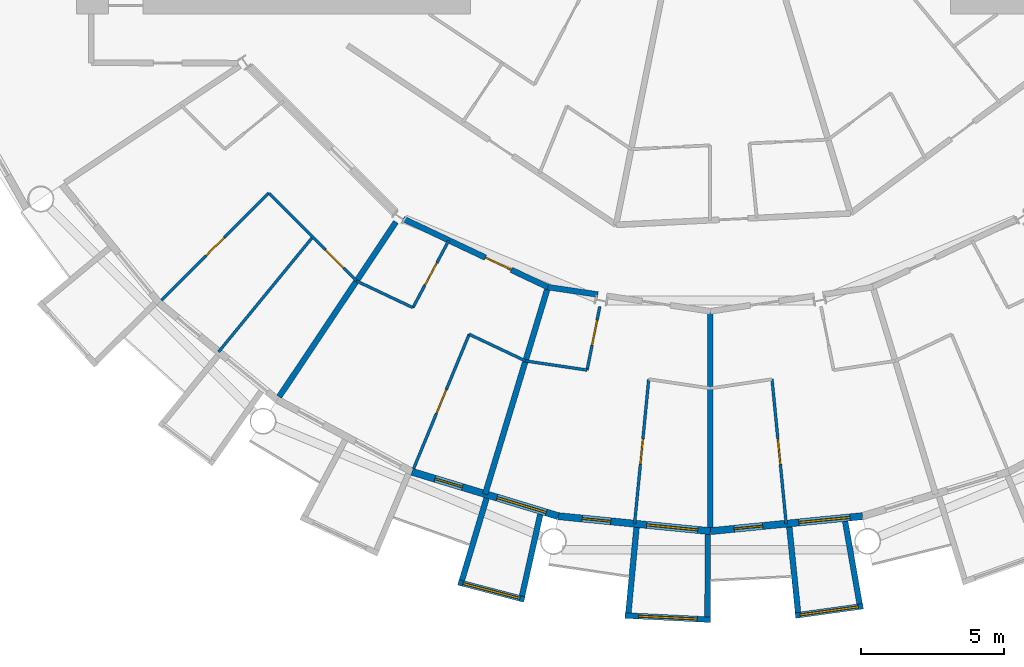
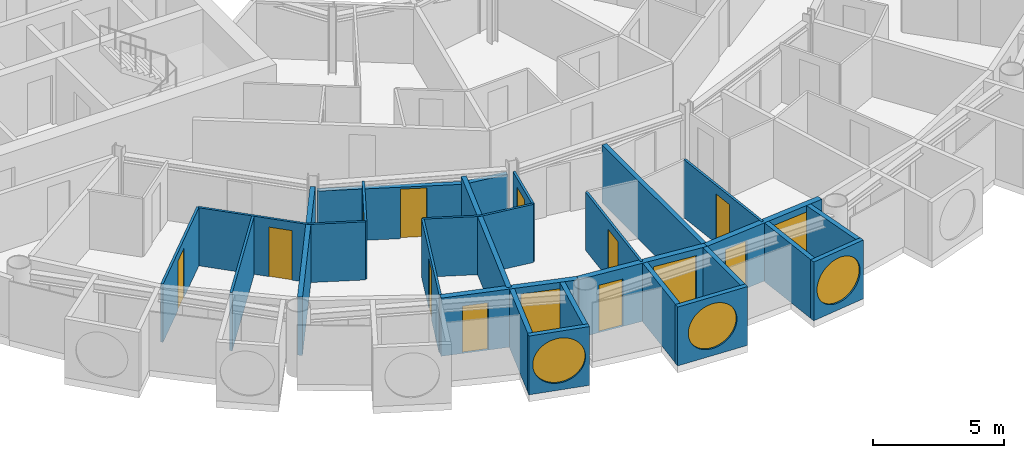
# One storey, part 14 of 26: 28 walls, 11 doors, 6 windows, 17 openings.
"""IFC4 building model written with IfcOpenShell, lengths in metres."""

from ifc_helpers import new_model, si_unit, direction, frame, frame_2d, origin, place, context, subcontext, project, spatial, rectangle, circle, extrude, material, layer, layer_set, type_object, element, fill, save


model = new_model("IFC4")

# Units and contexts
model_context = context("Model", 3, precision=1e-05, world=origin(), true_north=direction((0.0, 1.0)))
body_context = subcontext(model_context, "Body", "Model", "MODEL_VIEW")
ifc_project = project(units=[si_unit("LENGTHUNIT", "METRE"), si_unit("AREAUNIT", "SQUARE_METRE"), si_unit("VOLUMEUNIT", "CUBIC_METRE"), si_unit("PLANEANGLEUNIT", "RADIAN"), si_unit("MASSUNIT", "GRAM", prefix="KILO")], contexts=[model_context])

# Site, building, storey
site_placement = place(None, origin())
site = spatial("IfcSite", under=ifc_project, at=site_placement, CompositionType="ELEMENT")
building_placement = place(site_placement, origin())
building = spatial("IfcBuilding", under=site, at=building_placement, Name="Maasbend Ring Residences", CompositionType="ELEMENT")
storey_placement = place(building_placement, frame((0.0, 0.0, 123.85009765625)))
storey = spatial("IfcBuildingStorey", under=building, at=storey_placement, Name="L35", CompositionType="ELEMENT", Elevation=123.85009765625)

# Wall, opening, door
ifc_material_1 = material(Name="Concrete C30/37", Category="concrete")
ifc_layer_1 = layer(ifc_material_1, 0.199951171875)
ifc_layer_set_1 = layer_set([ifc_layer_1], Name="Concrete C30/37")
wall_type_1 = type_object("IfcWallType", Name="CORRIDOR WALL 200 CONCRETE", PredefinedType="PARTITIONING", material=ifc_layer_set_1)
wall_1_placement = place(storey_placement, frame((-10.7490234375, -16.363037109375, 0.0), z_axis=(0.0, 0.0, 1.0), x_axis=(0.903968655954, -0.427598724335, 0.0)))
wall_1 = element("IfcWall", 1, at=wall_1_placement, inside=storey, type_object=wall_type_1, Name="U-L35-w015", PredefinedType="PARTITIONING", context=body_context, shape_type="SweptSolid", body=[
    extrude(rectangle(XDim=5.596435546875, YDim=0.199951171875, at=frame_2d((2.79833984375, 0.0))), origin(), (0.0, 0.0, 1.0), 2.389892578125),
])
opening_1_placement = place(wall_1_placement, frame((3.178955078125, 0.0, 0.0)))
opening_1 = element("IfcOpeningElement", 2, at=opening_1_placement, cuts=wall_1, Name="Opening D-3536", PredefinedType="OPENING", context=body_context, shape_type="SweptSolid", body=[
    extrude(rectangle(XDim=1.0, YDim=2.300048828125, at=frame_2d((0.5, 1.14990234375))), frame((0.0, 0.10986328125, 0.0), z_axis=(0.0, -1.0, 0.0), x_axis=(1.0, 0.0, 0.0)), (0.0, 0.0, 1.0), 0.219970703125),
])
ifc_material_2 = material(Name="Timber, fire-rated, painted", Category="wood")
door_type_1 = type_object("IfcDoorType", Name="FLAT ENTRANCE DOOR 1000 X 2300 FIRE-RATED", OperationType="NOTDEFINED", PredefinedType="DOOR", material=ifc_material_2)
door_1_placement = place(opening_1_placement, origin())
door_1 = element("IfcDoor", 3, at=door_1_placement, inside=storey, type_object=door_type_1, Name="D-3536", OperationType="SINGLE_SWING_RIGHT", OverallHeight=2.300048828125, OverallWidth=1.0, PredefinedType="DOOR", context=body_context, shape_type="SweptSolid", body=[
    extrude(rectangle(XDim=1.0, YDim=2.300048828125, at=frame_2d((0.5, 1.14990234375))), frame((0.0, 0.02490234375, 0.0), z_axis=(0.0, -1.0, 0.0), x_axis=(1.0, 0.0, 0.0)), (0.0, 0.0, 1.0), 0.050048828125),
])
fill(opening_1, door_1)

# Wall
wall_2_placement = place(storey_placement, frame((-5.696044921875, -18.7548828125, 0.0), z_axis=(0.0, 0.0, 1.0), x_axis=(0.989227802256, -0.146384272531, 0.0)))
element("IfcWall", 4, at=wall_2_placement, inside=storey, type_object=wall_type_1, Name="U-L35-w016", PredefinedType="PARTITIONING", context=body_context, shape_type="SweptSolid", body=[
    extrude(rectangle(XDim=1.776123046875, YDim=0.199951171875, at=frame_2d((0.88818359375, 0.0))), origin(), (0.0, 0.0, 1.0), 2.389892578125),
])

# Wall, opening, window
ifc_material_3 = material(Name="Pale anodised aluminium panel", Category="aluminium")
ifc_layer_2 = layer(ifc_material_3, 0.199951171875)
ifc_layer_set_2 = layer_set([ifc_layer_2], Name="EW-BOX")
wall_type_2 = type_object("IfcWallType", Name="EW-BOX", PredefinedType="SOLIDWALL", material=ifc_layer_set_2)
wall_3_placement = place(storey_placement, frame((-8.827880859375, -29.090087890625, -0.030029296875), z_axis=(0.0, 0.0, 1.0), x_axis=(0.967554339146, -0.252663018266, 0.0)))
wall_3 = element("IfcWall", 5, at=wall_3_placement, inside=storey, type_object=wall_type_2, Name="Box front S08", PredefinedType="SOLIDWALL", context=body_context, shape_type="SweptSolid", body=[
    extrude(rectangle(XDim=2.390625, YDim=0.199951171875, at=frame_2d((1.1953125, 0.0))), origin(), (0.0, 0.0, 1.0), 2.72998046875),
])
opening_2_placement = place(wall_3_placement, frame((0.15576171875, 0.0, 0.330078125)))
opening_2 = element("IfcOpeningElement", 6, at=opening_2_placement, cuts=wall_3, Name="Opening W-RD", PredefinedType="OPENING", context=body_context, shape_type="SweptSolid", body=[
    extrude(circle(Radius=1.0400390625, at=frame_2d((1.0400390625, 1.0400390625))), frame((0.0, 0.10986328125, 0.0), z_axis=(0.0, -1.0, 0.0), x_axis=(1.0, 0.0, 0.0)), (0.0, 0.0, 1.0), 0.219970703125),
])
ifc_material_4 = material(Name="Aluminium and clear glass", Category="aluminium")
window_type_1 = type_object("IfcWindowType", Name="W-RD", PartitioningType="SINGLE_PANEL", PredefinedType="WINDOW", material=ifc_material_4)
window_1_placement = place(opening_2_placement, origin())
window_1 = element("IfcWindow", 7, at=window_1_placement, inside=storey, type_object=window_type_1, Name="Round window S08", OverallHeight=2.080078125, OverallWidth=2.080078125, PartitioningType="SINGLE_PANEL", PredefinedType="WINDOW", context=body_context, shape_type="SweptSolid", body=[
    extrude(circle(Radius=1.0400390625, at=frame_2d((1.0400390625, 1.0400390625))), frame((0.0, 0.030029296875, 0.0), z_axis=(0.0, -1.0, 0.0), x_axis=(1.0, 0.0, 0.0)), (0.0, 0.0, 1.0), 0.06005859375),
])
fill(opening_2, window_1)

# Walls
wall_4_placement = place(storey_placement, frame((-7.8369140625, -26.14404296875, -0.030029296875), z_axis=(0.0, 0.0, 1.0), x_axis=(-0.287064767992, -0.957911174889, 0.0)))
element("IfcWall", 8, at=wall_4_placement, inside=storey, type_object=wall_type_2, Name="Box side wall S08 left", PredefinedType="SOLIDWALL", context=body_context, shape_type="SweptSolid", body=[
    extrude(rectangle(XDim=3.00634765625, YDim=0.199951171875, at=frame_2d((1.503173828125, 0.0))), origin(), (0.0, 0.0, 1.0), 2.72998046875),
])
wall_5_placement = place(storey_placement, frame((-5.95703125, -26.715087890625, -0.030029296875), z_axis=(0.0, 0.0, 1.0), x_axis=(-0.217857287091, -0.975980636315, 0.0)))
element("IfcWall", 9, at=wall_5_placement, inside=storey, type_object=wall_type_2, Name="Box side wall S08 right", PredefinedType="SOLIDWALL", context=body_context, shape_type="SweptSolid", body=[
    extrude(rectangle(XDim=2.92822265625, YDim=0.199951171875, at=frame_2d((1.464111328125, 0.0))), origin(), (0.0, 0.0, 1.0), 2.72998046875),
])

# Wall, opening, window
wall_6_placement = place(storey_placement, frame((-2.985107421875, -30.2529296875, -0.030029296875), z_axis=(0.0, 0.0, 1.0), x_axis=(0.998794083011, -0.049095618353, 0.0)))
wall_6 = element("IfcWall", 10, at=wall_6_placement, inside=storey, type_object=wall_type_2, Name="Box front S10", PredefinedType="SOLIDWALL", context=body_context, shape_type="SweptSolid", body=[
    extrude(rectangle(XDim=2.99365234375, YDim=0.199951171875, at=frame_2d((1.496826171875, 0.0))), origin(), (0.0, 0.0, 1.0), 2.72998046875),
])
opening_3_placement = place(wall_6_placement, frame((0.45654296875, 0.0, 0.330078125)))
opening_3 = element("IfcOpeningElement", 11, at=opening_3_placement, cuts=wall_6, Name="Opening W-RD", PredefinedType="OPENING", context=body_context, shape_type="SweptSolid", body=[
    extrude(circle(Radius=1.0400390625, at=frame_2d((1.0400390625, 1.0400390625))), frame((0.0, 0.10986328125, 0.0), z_axis=(0.0, -1.0, 0.0), x_axis=(1.0, 0.0, 0.0)), (0.0, 0.0, 1.0), 0.219970703125),
])
window_2_placement = place(opening_3_placement, origin())
window_2 = element("IfcWindow", 12, at=window_2_placement, inside=storey, type_object=window_type_1, Name="Round window S10", OverallHeight=2.080078125, OverallWidth=2.080078125, PartitioningType="SINGLE_PANEL", PredefinedType="WINDOW", context=body_context, shape_type="SweptSolid", body=[
    extrude(circle(Radius=1.0400390625, at=frame_2d((1.0400390625, 1.0400390625))), frame((0.0, 0.030029296875, 0.0), z_axis=(0.0, -1.0, 0.0), x_axis=(1.0, 0.0, 0.0)), (0.0, 0.0, 1.0), 0.06005859375),
])
fill(opening_3, window_2)

# Walls
wall_7_placement = place(storey_placement, frame((-2.5859375, -27.1708984375, -0.030029296875), z_axis=(0.0, 0.0, 1.0), x_axis=(-0.094548432284, -0.995520262954, 0.0)))
element("IfcWall", 13, at=wall_7_placement, inside=storey, type_object=wall_type_2, Name="Box side wall S10 left", PredefinedType="SOLIDWALL", context=body_context, shape_type="SweptSolid", body=[
    extrude(rectangle(XDim=3.005615234375, YDim=0.199951171875, at=frame_2d((1.5029296875, 0.0))), origin(), (0.0, 0.0, 1.0), 2.72998046875),
])
wall_8_placement = place(storey_placement, frame((-0.090087890625, -27.4169921875, -0.030029296875), z_axis=(0.0, 0.0, 1.0), x_axis=(-0.00347308367, -0.999993968827, 0.0)))
element("IfcWall", 14, at=wall_8_placement, inside=storey, type_object=wall_type_2, Name="Box side wall S10 right", PredefinedType="SOLIDWALL", context=body_context, shape_type="SweptSolid", body=[
    extrude(rectangle(XDim=2.882080078125, YDim=0.199951171875, at=frame_2d((1.44091796875, 0.0))), origin(), (0.0, 0.0, 1.0), 2.72998046875),
])

# Wall, opening, window
wall_9_placement = place(storey_placement, frame((2.97607421875, -30.25390625, -0.030029296875), z_axis=(0.0, 0.0, 1.0), x_axis=(0.99061207328, 0.136703036805, 0.0)))
wall_9 = element("IfcWall", 15, at=wall_9_placement, inside=storey, type_object=wall_type_2, Name="Box front S12", PredefinedType="SOLIDWALL", context=body_context, shape_type="SweptSolid", body=[
    extrude(rectangle(XDim=2.391357421875, YDim=0.199951171875, at=frame_2d((1.19580078125, 0.0))), origin(), (0.0, 0.0, 1.0), 2.72998046875),
])
opening_4_placement = place(wall_9_placement, frame((0.15576171875, 0.0, 0.330078125)))
opening_4 = element("IfcOpeningElement", 16, at=opening_4_placement, cuts=wall_9, Name="Opening W-RD", PredefinedType="OPENING", context=body_context, shape_type="SweptSolid", body=[
    extrude(circle(Radius=1.0400390625, at=frame_2d((1.0400390625, 1.0400390625))), frame((0.0, 0.10986328125, 0.0), z_axis=(0.0, -1.0, 0.0), x_axis=(1.0, 0.0, 0.0)), (0.0, 0.0, 1.0), 0.219970703125),
])
window_3_placement = place(opening_4_placement, origin())
window_3 = element("IfcWindow", 17, at=window_3_placement, inside=storey, type_object=window_type_1, Name="Round window S12", OverallHeight=2.080078125, OverallWidth=2.080078125, PartitioningType="SINGLE_PANEL", PredefinedType="WINDOW", context=body_context, shape_type="SweptSolid", body=[
    extrude(circle(Radius=1.0400390625, at=frame_2d((1.0400390625, 1.0400390625))), frame((0.0, 0.030029296875, 0.0), z_axis=(0.0, -1.0, 0.0), x_axis=(1.0, 0.0, 0.0)), (0.0, 0.0, 1.0), 0.06005859375),
])
fill(opening_4, window_3)

# Walls
wall_10_placement = place(storey_placement, frame((2.763916015625, -27.153076171875, -0.030029296875), z_axis=(0.0, 0.0, 1.0), x_axis=(0.101505487237, -0.994834979311, 0.0)))
element("IfcWall", 18, at=wall_10_placement, inside=storey, type_object=wall_type_2, Name="Box side wall S12 left", PredefinedType="SOLIDWALL", context=body_context, shape_type="SweptSolid", body=[
    extrude(rectangle(XDim=3.006591796875, YDim=0.199951171875, at=frame_2d((1.50341796875, 0.0))), origin(), (0.0, 0.0, 1.0), 2.72998046875),
])
wall_11_placement = place(storey_placement, frame((4.719970703125, -26.9609375, -0.030029296875), z_axis=(0.0, 0.0, 1.0), x_axis=(0.172463232037, -0.98501595601, 0.0)))
element("IfcWall", 19, at=wall_11_placement, inside=storey, type_object=wall_type_2, Name="Box side wall S12 right", PredefinedType="SOLIDWALL", context=body_context, shape_type="SweptSolid", body=[
    extrude(rectangle(XDim=2.928955078125, YDim=0.199951171875, at=frame_2d((1.46435546875, 0.0))), origin(), (0.0, 0.0, 1.0), 2.72998046875),
])

# Wall, openings, door, window
ifc_material_5 = material(Name="Aluminium clad insulated panel", Category="aluminium")
ifc_layer_3 = layer(ifc_material_5, 0.25)
ifc_layer_set_3 = layer_set([ifc_layer_3], Name="EW-GL")
wall_type_3 = type_object("IfcWallType", Name="EW-GL", PredefinedType="SOLIDWALL", material=ifc_layer_set_3)
wall_12_placement = place(storey_placement, frame((-10.447021484375, -25.221923828125, 0.0), z_axis=(0.0, 0.0, 1.0), x_axis=(0.956965678721, -0.290201119486, 0.0)))
wall_12 = element("IfcWall", 20, at=wall_12_placement, inside=storey, type_object=wall_type_3, Name="External wall S04", PredefinedType="SOLIDWALL", context=body_context, shape_type="SweptSolid", body=[
    extrude(rectangle(XDim=5.351318359375, YDim=0.25, at=frame_2d((2.67578125, 0.0))), origin(), (0.0, 0.0, 1.0), 2.699951171875),
])
opening_5_placement = place(wall_12_placement, frame((0.841064453125, 0.0, 0.0)))
opening_5 = element("IfcOpeningElement", 21, at=opening_5_placement, cuts=wall_12, Name="Opening D-LG", PredefinedType="OPENING", context=body_context, shape_type="SweptSolid", body=[
    extrude(rectangle(XDim=1.0, YDim=2.199951171875, at=frame_2d((0.5, 1.10009765625))), frame((0.0, 0.135009765625, 0.0), z_axis=(0.0, -1.0, 0.0), x_axis=(1.0, 0.0, 0.0)), (0.0, 0.0, 1.0), 0.27001953125),
])
opening_6_placement = place(wall_12_placement, frame((3.110595703125, 0.0, 0.300048828125)))
opening_6 = element("IfcOpeningElement", 22, at=opening_6_placement, cuts=wall_12, Name="Opening W-BX", PredefinedType="OPENING", context=body_context, shape_type="SweptSolid", body=[
    extrude(rectangle(XDim=1.800048828125, YDim=2.10009765625, at=frame_2d((0.89990234375, 1.050048828125))), frame((0.0, 0.135009765625, 0.0), z_axis=(0.0, -1.0, 0.0), x_axis=(1.0, 0.0, 0.0)), (0.0, 0.0, 1.0), 0.27001953125),
])
ifc_material_6 = material(Name="Aluminium and clear glass", Category="aluminium")
door_type_2 = type_object("IfcDoorType", Name="D-LG", OperationType="SINGLE_SWING_LEFT", PredefinedType="DOOR", material=ifc_material_6)
door_2_placement = place(opening_5_placement, origin())
door_2 = element("IfcDoor", 23, at=door_2_placement, inside=storey, type_object=door_type_2, Name="Loggia door S07", OperationType="SINGLE_SWING_LEFT", OverallHeight=2.199951171875, OverallWidth=1.0, PredefinedType="DOOR", context=body_context, shape_type="SweptSolid", body=[
    extrude(rectangle(XDim=1.0, YDim=2.199951171875, at=frame_2d((0.5, 1.10009765625))), frame((0.0, 0.02490234375, 0.0), z_axis=(0.0, -1.0, 0.0), x_axis=(1.0, 0.0, 0.0)), (0.0, 0.0, 1.0), 0.050048828125),
])
fill(opening_5, door_2)
ifc_material_7 = material(Name="Aluminium and clear glass", Category="aluminium")
window_type_2 = type_object("IfcWindowType", Name="W-BX", PartitioningType="DOUBLE_PANEL_VERTICAL", PredefinedType="WINDOW", material=ifc_material_7)
window_4_placement = place(opening_6_placement, origin())
window_4 = element("IfcWindow", 24, at=window_4_placement, inside=storey, type_object=window_type_2, Name="Window S08 room to box", OverallHeight=2.10009765625, OverallWidth=1.800048828125, PartitioningType="SINGLE_PANEL", PredefinedType="WINDOW", context=body_context, shape_type="SweptSolid", body=[
    extrude(rectangle(XDim=1.800048828125, YDim=2.10009765625, at=frame_2d((0.89990234375, 1.050048828125))), frame((0.0, 0.030029296875, 0.0), z_axis=(0.0, -1.0, 0.0), x_axis=(1.0, 0.0, 0.0)), (0.0, 0.0, 1.0), 0.06005859375),
])
fill(opening_6, window_4)

wall_13_placement = place(storey_placement, frame((-5.325927734375, -26.77490234375, 0.0), z_axis=(0.0, 0.0, 1.0), x_axis=(0.995173996315, -0.098126026407, 0.0)))
wall_13 = element("IfcWall", 25, at=wall_13_placement, inside=storey, type_object=wall_type_3, Name="External wall S05", PredefinedType="SOLIDWALL", context=body_context, shape_type="SweptSolid", body=[
    extrude(rectangle(XDim=5.351806640625, YDim=0.25, at=frame_2d((2.67578125, 0.0))), origin(), (0.0, 0.0, 1.0), 2.699951171875),
])
opening_7_placement = place(wall_13_placement, frame((0.841064453125, 0.0, 0.0)))
opening_7 = element("IfcOpeningElement", 26, at=opening_7_placement, cuts=wall_13, Name="Opening D-LG", PredefinedType="OPENING", context=body_context, shape_type="SweptSolid", body=[
    extrude(rectangle(XDim=1.0, YDim=2.199951171875, at=frame_2d((0.5, 1.10009765625))), frame((0.0, 0.135009765625, 0.0), z_axis=(0.0, -1.0, 0.0), x_axis=(1.0, 0.0, 0.0)), (0.0, 0.0, 1.0), 0.27001953125),
])
opening_8_placement = place(wall_13_placement, frame((3.110595703125, 0.0, 0.300048828125)))
opening_8 = element("IfcOpeningElement", 27, at=opening_8_placement, cuts=wall_13, Name="Opening W-BX", PredefinedType="OPENING", context=body_context, shape_type="SweptSolid", body=[
    extrude(rectangle(XDim=1.800048828125, YDim=2.10009765625, at=frame_2d((0.89990234375, 1.050048828125))), frame((0.0, 0.135009765625, 0.0), z_axis=(0.0, -1.0, 0.0), x_axis=(1.0, 0.0, 0.0)), (0.0, 0.0, 1.0), 0.27001953125),
])
door_3_placement = place(opening_7_placement, origin())
door_3 = element("IfcDoor", 28, at=door_3_placement, inside=storey, type_object=door_type_2, Name="Loggia door S09", OperationType="SINGLE_SWING_LEFT", OverallHeight=2.199951171875, OverallWidth=1.0, PredefinedType="DOOR", context=body_context, shape_type="SweptSolid", body=[
    extrude(rectangle(XDim=1.0, YDim=2.199951171875, at=frame_2d((0.5, 1.10009765625))), frame((0.0, 0.02490234375, 0.0), z_axis=(0.0, -1.0, 0.0), x_axis=(1.0, 0.0, 0.0)), (0.0, 0.0, 1.0), 0.050048828125),
])
fill(opening_7, door_3)
window_5_placement = place(opening_8_placement, origin())
window_5 = element("IfcWindow", 29, at=window_5_placement, inside=storey, type_object=window_type_2, Name="Window S10 room to box", OverallHeight=2.10009765625, OverallWidth=1.800048828125, PartitioningType="SINGLE_PANEL", PredefinedType="WINDOW", context=body_context, shape_type="SweptSolid", body=[
    extrude(rectangle(XDim=1.800048828125, YDim=2.10009765625, at=frame_2d((0.89990234375, 1.050048828125))), frame((0.0, 0.030029296875, 0.0), z_axis=(0.0, -1.0, 0.0), x_axis=(1.0, 0.0, 0.0)), (0.0, 0.0, 1.0), 0.06005859375),
])
fill(opening_8, window_5)

wall_14_placement = place(storey_placement, frame((0.0, -27.300048828125, 0.0), z_axis=(0.0, 0.0, 1.0), x_axis=(0.995173996315, 0.098126026407, 0.0)))
wall_14 = element("IfcWall", 30, at=wall_14_placement, inside=storey, type_object=wall_type_3, Name="External wall S06", PredefinedType="SOLIDWALL", context=body_context, shape_type="SweptSolid", body=[
    extrude(rectangle(XDim=5.351806640625, YDim=0.25, at=frame_2d((2.67578125, 0.0))), origin(), (0.0, 0.0, 1.0), 2.699951171875),
])
opening_9_placement = place(wall_14_placement, frame((0.841064453125, 0.0, 0.0)))
opening_9 = element("IfcOpeningElement", 31, at=opening_9_placement, cuts=wall_14, Name="Opening D-LG", PredefinedType="OPENING", context=body_context, shape_type="SweptSolid", body=[
    extrude(rectangle(XDim=1.0, YDim=2.199951171875, at=frame_2d((0.5, 1.10009765625))), frame((0.0, 0.135009765625, 0.0), z_axis=(0.0, -1.0, 0.0), x_axis=(1.0, 0.0, 0.0)), (0.0, 0.0, 1.0), 0.27001953125),
])
opening_10_placement = place(wall_14_placement, frame((3.110595703125, 0.0, 0.300048828125)))
opening_10 = element("IfcOpeningElement", 32, at=opening_10_placement, cuts=wall_14, Name="Opening W-BX", PredefinedType="OPENING", context=body_context, shape_type="SweptSolid", body=[
    extrude(rectangle(XDim=1.800048828125, YDim=2.10009765625, at=frame_2d((0.89990234375, 1.050048828125))), frame((0.0, 0.135009765625, 0.0), z_axis=(0.0, -1.0, 0.0), x_axis=(1.0, 0.0, 0.0)), (0.0, 0.0, 1.0), 0.27001953125),
])
door_4_placement = place(opening_9_placement, origin())
door_4 = element("IfcDoor", 33, at=door_4_placement, inside=storey, type_object=door_type_2, Name="Loggia door S11", OperationType="SINGLE_SWING_LEFT", OverallHeight=2.199951171875, OverallWidth=1.0, PredefinedType="DOOR", context=body_context, shape_type="SweptSolid", body=[
    extrude(rectangle(XDim=1.0, YDim=2.199951171875, at=frame_2d((0.5, 1.10009765625))), frame((0.0, 0.02490234375, 0.0), z_axis=(0.0, -1.0, 0.0), x_axis=(1.0, 0.0, 0.0)), (0.0, 0.0, 1.0), 0.050048828125),
])
fill(opening_9, door_4)
window_6_placement = place(opening_10_placement, origin())
window_6 = element("IfcWindow", 34, at=window_6_placement, inside=storey, type_object=window_type_2, Name="Window S12 room to box", OverallHeight=2.10009765625, OverallWidth=1.800048828125, PartitioningType="SINGLE_PANEL", PredefinedType="WINDOW", context=body_context, shape_type="SweptSolid", body=[
    extrude(rectangle(XDim=1.800048828125, YDim=2.10009765625, at=frame_2d((0.89990234375, 1.050048828125))), frame((0.0, 0.030029296875, 0.0), z_axis=(0.0, -1.0, 0.0), x_axis=(1.0, 0.0, 0.0)), (0.0, 0.0, 1.0), 0.06005859375),
])
fill(opening_10, window_6)

# Walls
ifc_material_8 = material(Name="Gypsum board on steel studs", Category="steel")
ifc_layer_4 = layer(ifc_material_8, 0.10009765625)
ifc_layer_set_4 = layer_set([ifc_layer_4], Name="PARTITION 100 GYPSUM")
wall_type_4 = type_object("IfcWallType", Name="PARTITION 100 GYPSUM", PredefinedType="PARTITIONING", material=ifc_layer_set_4)
wall_15_placement = place(storey_placement, frame((-12.39697265625, -18.537109375, 0.0), z_axis=(0.0, 0.0, 1.0), x_axis=(0.903951937529, -0.427634066274, 0.0)))
element("IfcWall", 35, at=wall_15_placement, inside=storey, type_object=wall_type_4, Name="U-L35-w001", PredefinedType="PARTITIONING", context=body_context, shape_type="SweptSolid", body=[
    extrude(rectangle(XDim=2.181396484375, YDim=0.10009765625, at=frame_2d((1.0908203125, 0.0))), origin(), (0.0, 0.0, 1.0), 2.699951171875),
])
wall_16_placement = place(storey_placement, frame((-8.445068359375, -20.406982421875, 0.0), z_axis=(0.0, 0.0, 1.0), x_axis=(0.903929143338, -0.427682246328, 0.0)))
element("IfcWall", 36, at=wall_16_placement, inside=storey, type_object=wall_type_4, Name="U-L35-w002", PredefinedType="PARTITIONING", context=body_context, shape_type="SweptSolid", body=[
    extrude(rectangle(XDim=2.181884765625, YDim=0.10009765625, at=frame_2d((1.0908203125, 0.0))), origin(), (0.0, 0.0, 1.0), 2.699951171875),
])
wall_17_placement = place(storey_placement, frame((-6.472900390625, -21.340087890625, 0.0), z_axis=(0.0, 0.0, 1.0), x_axis=(0.989185420695, -0.146670390618, 0.0)))
element("IfcWall", 37, at=wall_17_placement, inside=storey, type_object=wall_type_4, Name="U-L35-w003", PredefinedType="PARTITIONING", context=body_context, shape_type="SweptSolid", body=[
    extrude(rectangle(XDim=2.1806640625, YDim=0.10009765625, at=frame_2d((1.09033203125, 0.0))), origin(), (0.0, 0.0, 1.0), 2.699951171875),
])

# Wall, opening, door
wall_18_placement = place(storey_placement, frame((-15.462890625, -15.468017578125, 0.0), z_axis=(0.0, 0.0, 1.0), x_axis=(0.707106781187, -0.707106781187, 0.0)))
wall_18 = element("IfcWall", 38, at=wall_18_placement, inside=storey, type_object=wall_type_4, Name="U-L35-w010", PredefinedType="PARTITIONING", context=body_context, shape_type="SweptSolid", body=[
    extrude(rectangle(XDim=4.351318359375, YDim=0.10009765625, at=frame_2d((2.17578125, 0.0))), origin(), (0.0, 0.0, 1.0), 2.699951171875),
])
opening_11_placement = place(wall_18_placement, frame((2.80810546875, 0.0, 0.0)))
opening_11 = element("IfcOpeningElement", 39, at=opening_11_placement, cuts=wall_18, Name="Opening D-3535", PredefinedType="OPENING", context=body_context, shape_type="SweptSolid", body=[
    extrude(rectangle(XDim=0.89990234375, YDim=2.300048828125, at=frame_2d((0.449951171875, 1.14990234375))), frame((0.0, 0.06005859375, 0.0), z_axis=(0.0, -1.0, 0.0), x_axis=(1.0, 0.0, 0.0)), (0.0, 0.0, 1.0), 0.1201171875),
])
ifc_material_9 = material(Name="Timber, painted", Category="wood")
door_type_3 = type_object("IfcDoorType", Name="INTERNAL DOOR 900 X 2300", OperationType="NOTDEFINED", PredefinedType="DOOR", material=ifc_material_9)
door_5_placement = place(opening_11_placement, origin())
door_5 = element("IfcDoor", 40, at=door_5_placement, inside=storey, type_object=door_type_3, Name="D-3535", OperationType="SINGLE_SWING_RIGHT", OverallHeight=2.300048828125, OverallWidth=0.89990234375, PredefinedType="DOOR", context=body_context, shape_type="SweptSolid", body=[
    extrude(rectangle(XDim=0.89990234375, YDim=2.300048828125, at=frame_2d((0.449951171875, 1.14990234375))), frame((0.0, 0.02490234375, 0.0), z_axis=(0.0, -1.0, 0.0), x_axis=(1.0, 0.0, 0.0)), (0.0, 0.0, 1.0), 0.050048828125),
])
fill(opening_11, door_5)

wall_19_placement = place(storey_placement, frame((-19.216064453125, -19.216064453125, 0.0), z_axis=(0.0, 0.0, 1.0), x_axis=(0.707106781187, 0.707106781187, 0.0)))
wall_19 = element("IfcWall", 41, at=wall_19_placement, inside=storey, type_object=wall_type_4, Name="U-L35-w041", PredefinedType="PARTITIONING", context=body_context, shape_type="SweptSolid", body=[
    extrude(rectangle(XDim=5.3046875, YDim=0.10009765625, at=frame_2d((2.65234375, 0.0))), origin(), (0.0, 0.0, 1.0), 2.699951171875),
])
opening_12_placement = place(wall_19_placement, frame((2.201904296875, 0.0, 0.0)))
opening_12 = element("IfcOpeningElement", 42, at=opening_12_placement, cuts=wall_19, Name="Opening D-3534", PredefinedType="OPENING", context=body_context, shape_type="SweptSolid", body=[
    extrude(rectangle(XDim=0.89990234375, YDim=2.300048828125, at=frame_2d((0.449951171875, 1.14990234375))), frame((0.0, 0.06005859375, 0.0), z_axis=(0.0, -1.0, 0.0), x_axis=(1.0, 0.0, 0.0)), (0.0, 0.0, 1.0), 0.1201171875),
])
door_6_placement = place(opening_12_placement, origin())
door_6 = element("IfcDoor", 43, at=door_6_placement, inside=storey, type_object=door_type_3, Name="D-3534", OperationType="SINGLE_SWING_LEFT", OverallHeight=2.300048828125, OverallWidth=0.89990234375, PredefinedType="DOOR", context=body_context, shape_type="SweptSolid", body=[
    extrude(rectangle(XDim=0.89990234375, YDim=2.300048828125, at=frame_2d((0.449951171875, 1.14990234375))), frame((0.0, 0.02490234375, 0.0), z_axis=(0.0, -1.0, 0.0), x_axis=(1.0, 0.0, 0.0)), (0.0, 0.0, 1.0), 0.050048828125),
])
fill(opening_12, door_6)

# Wall
wall_20_placement = place(storey_placement, frame((-17.219970703125, -21.02294921875, 0.0), z_axis=(0.0, 0.0, 1.0), x_axis=(0.633774976367, 0.773517471898, 0.0)))
element("IfcWall", 44, at=wall_20_placement, inside=storey, type_object=wall_type_4, Name="U-L35-w043", PredefinedType="PARTITIONING", context=body_context, shape_type="SweptSolid", body=[
    extrude(rectangle(XDim=5.19580078125, YDim=0.10009765625, at=frame_2d((2.597900390625, 0.0))), origin(), (0.0, 0.0, 1.0), 2.699951171875),
])

# Wall, opening, door
wall_21_placement = place(storey_placement, frame((-10.4169921875, -19.47412109375, 0.0), z_axis=(0.0, 0.0, 1.0), x_axis=(0.471701791767, 0.881758141241, 0.0)))
wall_21 = element("IfcWall", 45, at=wall_21_placement, inside=storey, type_object=wall_type_4, Name="U-L35-w049", PredefinedType="PARTITIONING", context=body_context, shape_type="SweptSolid", body=[
    extrude(rectangle(XDim=2.67333984375, YDim=0.10009765625, at=frame_2d((1.336669921875, 0.0))), origin(), (0.0, 0.0, 1.0), 2.699951171875),
])
opening_13_placement = place(wall_21_placement, frame((0.886962890625, 0.0, 0.0)))
opening_13 = element("IfcOpeningElement", 46, at=opening_13_placement, cuts=wall_21, Name="Opening D-3537", PredefinedType="OPENING", context=body_context, shape_type="SweptSolid", body=[
    extrude(rectangle(XDim=0.89990234375, YDim=2.300048828125, at=frame_2d((0.449951171875, 1.14990234375))), frame((0.0, 0.06005859375, 0.0), z_axis=(0.0, -1.0, 0.0), x_axis=(1.0, 0.0, 0.0)), (0.0, 0.0, 1.0), 0.1201171875),
])
door_7_placement = place(opening_13_placement, origin())
door_7 = element("IfcDoor", 47, at=door_7_placement, inside=storey, type_object=door_type_3, Name="D-3537", OperationType="SINGLE_SWING_RIGHT", OverallHeight=2.300048828125, OverallWidth=0.89990234375, PredefinedType="DOOR", context=body_context, shape_type="SweptSolid", body=[
    extrude(rectangle(XDim=0.89990234375, YDim=2.300048828125, at=frame_2d((0.449951171875, 1.14990234375))), frame((0.0, 0.02490234375, 0.0), z_axis=(0.0, -1.0, 0.0), x_axis=(1.0, 0.0, 0.0)), (0.0, 0.0, 1.0), 0.050048828125),
])
fill(opening_13, door_7)

wall_22_placement = place(storey_placement, frame((-10.39111328125, -25.110107421875, 0.0), z_axis=(0.0, 0.0, 1.0), x_axis=(0.382339082848, 0.92402209158, 0.0)))
wall_22 = element("IfcWall", 48, at=wall_22_placement, inside=storey, type_object=wall_type_4, Name="U-L35-w050", PredefinedType="PARTITIONING", context=body_context, shape_type="SweptSolid", body=[
    extrude(rectangle(XDim=5.08984375, YDim=0.10009765625, at=frame_2d((2.544921875, 0.0))), origin(), (0.0, 0.0, 1.0), 2.699951171875),
])
opening_14_placement = place(wall_22_placement, frame((2.094970703125, 0.0, 0.0)))
opening_14 = element("IfcOpeningElement", 49, at=opening_14_placement, cuts=wall_22, Name="Opening D-3538", PredefinedType="OPENING", context=body_context, shape_type="SweptSolid", body=[
    extrude(rectangle(XDim=0.89990234375, YDim=2.300048828125, at=frame_2d((0.449951171875, 1.14990234375))), frame((0.0, 0.06005859375, 0.0), z_axis=(0.0, -1.0, 0.0), x_axis=(1.0, 0.0, 0.0)), (0.0, 0.0, 1.0), 0.1201171875),
])
door_8_placement = place(opening_14_placement, origin())
door_8 = element("IfcDoor", 50, at=door_8_placement, inside=storey, type_object=door_type_3, Name="D-3538", OperationType="SINGLE_SWING_RIGHT", OverallHeight=2.300048828125, OverallWidth=0.89990234375, PredefinedType="DOOR", context=body_context, shape_type="SweptSolid", body=[
    extrude(rectangle(XDim=0.89990234375, YDim=2.300048828125, at=frame_2d((0.449951171875, 1.14990234375))), frame((0.0, 0.02490234375, 0.0), z_axis=(0.0, -1.0, 0.0), x_axis=(1.0, 0.0, 0.0)), (0.0, 0.0, 1.0), 0.050048828125),
])
fill(opening_14, door_8)

wall_23_placement = place(storey_placement, frame((-4.31591796875, -21.659912109375, 0.0), z_axis=(0.0, 0.0, 1.0), x_axis=(0.195557580153, 0.980692221262, 0.0)))
wall_23 = element("IfcWall", 51, at=wall_23_placement, inside=storey, type_object=wall_type_4, Name="U-L35-w059", PredefinedType="PARTITIONING", context=body_context, shape_type="SweptSolid", body=[
    extrude(rectangle(XDim=2.26953125, YDim=0.10009765625, at=frame_2d((1.134765625, 0.0))), origin(), (0.0, 0.0, 1.0), 2.699951171875),
])
opening_15_placement = place(wall_23_placement, frame((0.886962890625, 0.0, 0.0)))
opening_15 = element("IfcOpeningElement", 52, at=opening_15_placement, cuts=wall_23, Name="Opening D-3540", PredefinedType="OPENING", context=body_context, shape_type="SweptSolid", body=[
    extrude(rectangle(XDim=0.89990234375, YDim=2.300048828125, at=frame_2d((0.449951171875, 1.14990234375))), frame((0.0, 0.06005859375, 0.0), z_axis=(0.0, -1.0, 0.0), x_axis=(1.0, 0.0, 0.0)), (0.0, 0.0, 1.0), 0.1201171875),
])
door_9_placement = place(opening_15_placement, origin())
door_9 = element("IfcDoor", 53, at=door_9_placement, inside=storey, type_object=door_type_3, Name="D-3540", OperationType="SINGLE_SWING_RIGHT", OverallHeight=2.300048828125, OverallWidth=0.89990234375, PredefinedType="DOOR", context=body_context, shape_type="SweptSolid", body=[
    extrude(rectangle(XDim=0.89990234375, YDim=2.300048828125, at=frame_2d((0.449951171875, 1.14990234375))), frame((0.0, 0.02490234375, 0.0), z_axis=(0.0, -1.0, 0.0), x_axis=(1.0, 0.0, 0.0)), (0.0, 0.0, 1.0), 0.050048828125),
])
fill(opening_15, door_9)

wall_24_placement = place(storey_placement, frame((-2.655029296875, -27.044921875, 0.0), z_axis=(0.0, 0.0, 1.0), x_axis=(0.097670180016, 0.995218838214, 0.0)))
wall_24 = element("IfcWall", 54, at=wall_24_placement, inside=storey, type_object=wall_type_4, Name="U-L35-w062", PredefinedType="PARTITIONING", context=body_context, shape_type="SweptSolid", body=[
    extrude(rectangle(XDim=5.08935546875, YDim=0.10009765625, at=frame_2d((2.544677734375, 0.0))), origin(), (0.0, 0.0, 1.0), 2.699951171875),
])
opening_16_placement = place(wall_24_placement, frame((2.094970703125, 0.0, 0.0)))
opening_16 = element("IfcOpeningElement", 55, at=opening_16_placement, cuts=wall_24, Name="Opening D-3541", PredefinedType="OPENING", context=body_context, shape_type="SweptSolid", body=[
    extrude(rectangle(XDim=0.89990234375, YDim=2.300048828125, at=frame_2d((0.449951171875, 1.14990234375))), frame((0.0, 0.06005859375, 0.0), z_axis=(0.0, -1.0, 0.0), x_axis=(1.0, 0.0, 0.0)), (0.0, 0.0, 1.0), 0.1201171875),
])
door_10_placement = place(opening_16_placement, origin())
door_10 = element("IfcDoor", 56, at=door_10_placement, inside=storey, type_object=door_type_3, Name="D-3541", OperationType="SINGLE_SWING_RIGHT", OverallHeight=2.300048828125, OverallWidth=0.89990234375, PredefinedType="DOOR", context=body_context, shape_type="SweptSolid", body=[
    extrude(rectangle(XDim=0.89990234375, YDim=2.300048828125, at=frame_2d((0.449951171875, 1.14990234375))), frame((0.0, 0.02490234375, 0.0), z_axis=(0.0, -1.0, 0.0), x_axis=(1.0, 0.0, 0.0)), (0.0, 0.0, 1.0), 0.050048828125),
])
fill(opening_16, door_10)

wall_25_placement = place(storey_placement, frame((2.157958984375, -21.97998046875, 0.0), z_axis=(0.0, 0.0, 1.0), x_axis=(0.097670180016, -0.995218838214, 0.0)))
wall_25 = element("IfcWall", 57, at=wall_25_placement, inside=storey, type_object=wall_type_4, Name="U-L35-w071", PredefinedType="PARTITIONING", context=body_context, shape_type="SweptSolid", body=[
    extrude(rectangle(XDim=5.08935546875, YDim=0.10009765625, at=frame_2d((2.544677734375, 0.0))), origin(), (0.0, 0.0, 1.0), 2.699951171875),
])
opening_17_placement = place(wall_25_placement, frame((2.094970703125, 0.0, 0.0)))
opening_17 = element("IfcOpeningElement", 58, at=opening_17_placement, cuts=wall_25, Name="Opening D-3544", PredefinedType="OPENING", context=body_context, shape_type="SweptSolid", body=[
    extrude(rectangle(XDim=0.89990234375, YDim=2.300048828125, at=frame_2d((0.449951171875, 1.14990234375))), frame((0.0, 0.06005859375, 0.0), z_axis=(0.0, -1.0, 0.0), x_axis=(1.0, 0.0, 0.0)), (0.0, 0.0, 1.0), 0.1201171875),
])
door_11_placement = place(opening_17_placement, origin())
door_11 = element("IfcDoor", 59, at=door_11_placement, inside=storey, type_object=door_type_3, Name="D-3544", OperationType="SINGLE_SWING_LEFT", OverallHeight=2.300048828125, OverallWidth=0.89990234375, PredefinedType="DOOR", context=body_context, shape_type="SweptSolid", body=[
    extrude(rectangle(XDim=0.89990234375, YDim=2.300048828125, at=frame_2d((0.449951171875, 1.14990234375))), frame((0.0, 0.02490234375, 0.0), z_axis=(0.0, -1.0, 0.0), x_axis=(1.0, 0.0, 0.0)), (0.0, 0.0, 1.0), 0.050048828125),
])
fill(opening_17, door_11)

# Walls
ifc_material_10 = material(Name="Concrete C30/37", Category="concrete")
ifc_layer_5 = layer(ifc_material_10, 0.199951171875)
ifc_layer_set_5 = layer_set([ifc_layer_5], Name="Concrete C30/37")
wall_type_5 = type_object("IfcWallType", Name="PARTY WALL 200 CONCRETE", PredefinedType="PARTITIONING", material=ifc_layer_set_5)
wall_26_placement = place(storey_placement, frame((-15.10009765625, -22.593994140625, 0.0), z_axis=(0.0, 0.0, 1.0), x_axis=(0.555779189795, 0.831329953864, 0.0)))
element("IfcWall", 60, at=wall_26_placement, inside=storey, type_object=wall_type_5, Name="U-L35-w046", PredefinedType="PARTITIONING", context=body_context, shape_type="SweptSolid", body=[
    extrude(rectangle(XDim=7.359130859375, YDim=0.199951171875, at=frame_2d((3.6796875, 0.0))), origin(), (0.0, 0.0, 1.0), 2.699951171875),
])
for number, where, z_axis, x_axis, name in (
    (61, (-7.887939453125, -26.0048828125, 0.0), (0.0, 0.0, 1.0), (0.290294523619, 0.956937348815, 0.0), "U-L35-w054"),
    (62, (0.0, -27.175048828125, 0.0), (0.0, 0.0, 1.0), (0.0, 1.0, 0.0), "U-L35-w065"),
):
    element("IfcWall", number, at=place(storey_placement, frame(where, z_axis=z_axis, x_axis=x_axis)), inside=storey, type_object=wall_type_5, Name=name, PredefinedType="PARTITIONING", context=body_context, shape_type="SweptSolid", body=[
        extrude(rectangle(XDim=7.574951171875, YDim=0.199951171875, at=frame_2d((3.78759765625, 0.0))), origin(), (0.0, 0.0, 1.0), 2.699951171875),
    ])

save(model, "model.ifc")
